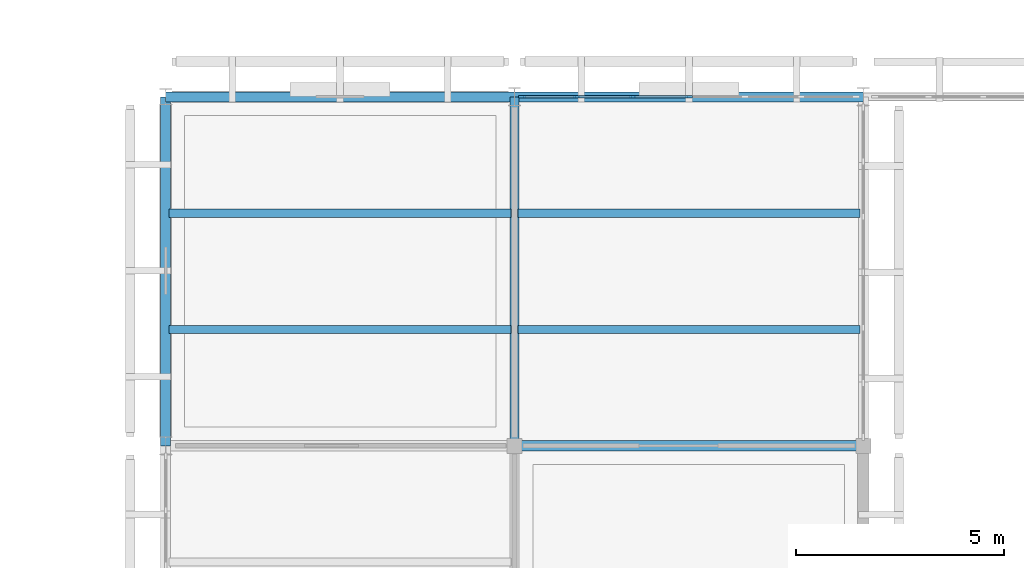
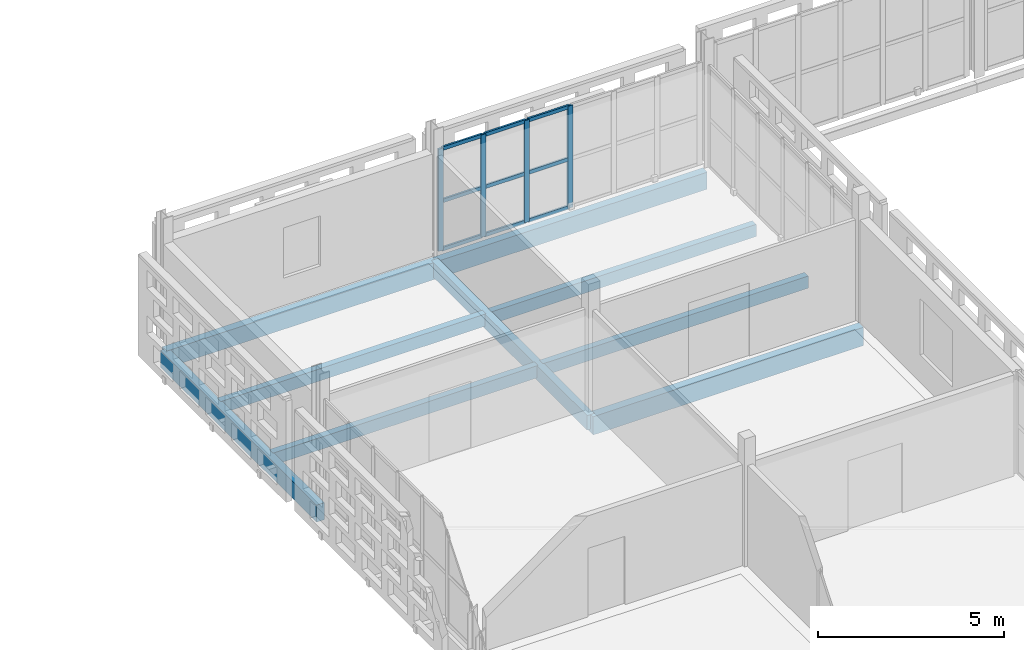
# One storey, part 51 of 140: 13 members, 9 beams, 1 element without a shape of its own.
"""IFC4 building model written with IfcOpenShell, lengths in metres."""

from ifc_helpers import new_model, si_unit, direction, frame, origin, origin_2d, place, context, subcontext, project, spatial, rectangle, extrude, material, layer, layer_set, material_profile, profile_set, type_object, element, aggregate, save


model = new_model("IFC4")

# Units and contexts
model_context = context("Model", 3, precision=1e-05, world=origin(), true_north=direction((0.0, 1.0)))
body_context = subcontext(model_context, "Body", "Model", "MODEL_VIEW")
ifc_project = project(units=[si_unit("LENGTHUNIT", "METRE"), si_unit("AREAUNIT", "SQUARE_METRE"), si_unit("VOLUMEUNIT", "CUBIC_METRE"), si_unit("PLANEANGLEUNIT", "RADIAN"), si_unit("MASSUNIT", "GRAM", prefix="KILO")], contexts=[model_context])

# Site, building, storey
site_placement = place(None, origin())
site = spatial("IfcSite", under=ifc_project, at=site_placement, CompositionType="ELEMENT")
building_placement = place(site_placement, origin())
building = spatial("IfcBuilding", under=site, at=building_placement, Name="Varnapada Polytechnic", CompositionType="ELEMENT")
storey_placement = place(building_placement, frame((0.0, 0.0, 13.800048828125)))
storey = spatial("IfcBuildingStorey", under=building, at=storey_placement, Name="L03", CompositionType="ELEMENT", Elevation=13.800048828125)

# Beams
ifc_material_1 = material(Name="Glulam GL32h", Category="wood")
ifc_material_profile_1 = material_profile(ifc_material_1, rectangle(XDim=0.199951171875, YDim=0.39990234375, at=origin_2d()), Name="GL 200x400")
ifc_profile_set_1 = profile_set([ifc_material_profile_1], Name="Glulam GL32h")
beam_type_1 = type_object("IfcBeamType", Name="Library/laboratory glulam floor joist GJ-01 (GL 200x400)", PredefinedType="JOIST", material=ifc_profile_set_1)
for number, where, z_axis, x_axis, name in (
    (1, (50.47998046875, 120.39990234375, -0.43994140625), (1.0, 0.0, 0.0), (0.0, 1.0, 0.0), "L03 floor joist 7/15.1"),
    (2, (50.47998046875, 123.199951171875, -0.43994140625), (1.0, 0.0, 0.0), (0.0, 1.0, 0.0), "L03 floor joist 7/15.2"),
):
    element("IfcBeam", number, at=place(storey_placement, frame(where, z_axis=z_axis, x_axis=x_axis)), inside=storey, type_object=beam_type_1, Name=name, PredefinedType="JOIST", context=body_context, shape_type="SweptSolid", body=[
        extrude(rectangle(XDim=0.199951171875, YDim=0.39990234375, at=origin_2d()), origin(), (0.0, 0.0, 1.0), 8.239990234375),
    ])
for number, where, z_axis, x_axis, name in (
    (3, (58.8798828125, 120.39990234375, -0.43994140625), (1.0, 0.0, 0.0), (0.0, 1.0, 0.0), "L03 floor joist 8/15.1"),
    (4, (58.8798828125, 123.199951171875, -0.43994140625), (1.0, 0.0, 0.0), (0.0, 1.0, 0.0), "L03 floor joist 8/15.2"),
):
    element("IfcBeam", number, at=place(storey_placement, frame(where, z_axis=z_axis, x_axis=x_axis)), inside=storey, type_object=beam_type_1, Name=name, PredefinedType="JOIST", context=body_context, shape_type="SweptSolid", body=[
        extrude(rectangle(XDim=0.199951171875, YDim=0.39990234375, at=origin_2d()), origin(), (0.0, 0.0, 1.0), 8.240234375),
    ])

# Curtain wall, members
ifc_material_2 = material(Name="Double low-E laminated glass", Category="glass")
ifc_layer = layer(ifc_material_2, 0.159912109375)
ifc_layer_set = layer_set([ifc_layer], Name="Double low-E laminated glass")
curtain_wall_type = type_object("IfcCurtainWallType", Name="Curtain Wall CW-02", PredefinedType="NOTDEFINED", material=ifc_layer_set)
curtain_wall_placement = place(storey_placement, origin())
curtain_wall = element("IfcCurtainWall", 5, at=curtain_wall_placement, inside=storey, type_object=curtain_wall_type, Name="L03 unitised curtain wall CW-02 (232)", PredefinedType="NOTDEFINED")
ifc_material_3 = material(Name="Anodised aluminium", Category="aluminium")
ifc_material_profile_2 = material_profile(ifc_material_3, rectangle(XDim=0.06005859375, YDim=0.159912109375, at=origin_2d()), Name="ALU M60x160")
ifc_profile_set_2 = profile_set([ifc_material_profile_2], Name="Anodised aluminium")
member_type_1 = type_object("IfcMemberType", Name="Mullion M-01", PredefinedType="MULLION", material=ifc_profile_set_2)
member_1_placement = place(storey_placement, frame((58.97998046875, 126.0, 0.0), z_axis=(0.0, 0.0, 1.0), x_axis=(0.0, 1.0, 0.0)))
member_1 = element("IfcMember", 6, at=member_1_placement, type_object=member_type_1, Name="CW-02 mullion 1", PredefinedType="MULLION", context=body_context, shape_type="SweptSolid", body=[
    extrude(rectangle(XDim=0.06005859375, YDim=0.159912109375, at=origin_2d()), origin(), (0.0, 0.0, 1.0), 3.35986328125),
])
member_2_placement = place(storey_placement, frame((60.300048828125, 126.0, 0.0), z_axis=(0.0, 0.0, 1.0), x_axis=(0.0, 1.0, 0.0)))
member_2 = element("IfcMember", 7, at=member_2_placement, type_object=member_type_1, Name="CW-02 mullion 2", PredefinedType="MULLION", context=body_context, shape_type="SweptSolid", body=[
    extrude(rectangle(XDim=0.06005859375, YDim=0.159912109375, at=origin_2d()), origin(), (0.0, 0.0, 1.0), 3.35986328125),
])
member_3_placement = place(storey_placement, frame((61.64990234375, 126.0, 0.0), z_axis=(0.0, 0.0, 1.0), x_axis=(0.0, 1.0, 0.0)))
member_3 = element("IfcMember", 8, at=member_3_placement, type_object=member_type_1, Name="CW-02 mullion 3", PredefinedType="MULLION", context=body_context, shape_type="SweptSolid", body=[
    extrude(rectangle(XDim=0.06005859375, YDim=0.159912109375, at=origin_2d()), origin(), (0.0, 0.0, 1.0), 3.35986328125),
])
member_4_placement = place(storey_placement, frame((63.0, 126.0, 0.0), z_axis=(0.0, 0.0, 1.0), x_axis=(0.0, 1.0, 0.0)))
member_4 = element("IfcMember", 9, at=member_4_placement, type_object=member_type_1, Name="CW-02 mullion 4", PredefinedType="MULLION", context=body_context, shape_type="SweptSolid", body=[
    extrude(rectangle(XDim=0.06005859375, YDim=0.159912109375, at=origin_2d()), origin(), (0.0, 0.0, 1.0), 3.35986328125),
])

# Beams
ifc_material_profile_3 = material_profile(ifc_material_1, rectangle(XDim=0.239990234375, YDim=0.56005859375, at=origin_2d()), Name="GL 240x560")
ifc_profile_set_3 = profile_set([ifc_material_profile_3], Name="Glulam GL32h")
beam_type_2 = type_object("IfcBeamType", Name="Perimeter glulam spandrel beam SP-02 (GL 240x560)", PredefinedType="SPANDREL", material=ifc_profile_set_3)
beam_1_placement = place(storey_placement, frame((50.39990234375, 126.0, -0.52001953125), z_axis=(1.0, 0.0, 0.0), x_axis=(0.0, 1.0, 0.0)))
element("IfcBeam", 10, at=beam_1_placement, inside=storey, type_object=beam_type_2, Name="L03 beam X 7-8 at Y16", PredefinedType="SPANDREL", context=body_context, shape_type="SweptSolid", body=[
    extrude(rectangle(XDim=0.239990234375, YDim=0.56005859375, at=origin_2d()), origin(), (0.0, 0.0, 1.0), 8.400146484375),
])
for number, where, z_axis, x_axis, name in (
    (11, (58.800048828125, 126.0, -0.52001953125), (1.0, 0.0, 0.0), (0.0, 1.0, 0.0), "L03 beam X 8-9 at Y16"),
    (12, (50.39990234375, 117.60009765625, -0.52001953125), (0.0, 1.0, 0.0), (-1.0, 0.0, 0.0), "L03 beam Y 15-16 at X7"),
):
    element("IfcBeam", number, at=place(storey_placement, frame(where, z_axis=z_axis, x_axis=x_axis)), inside=storey, type_object=beam_type_2, Name=name, PredefinedType="SPANDREL", context=body_context, shape_type="SweptSolid", body=[
        extrude(rectangle(XDim=0.239990234375, YDim=0.56005859375, at=origin_2d()), origin(), (0.0, 0.0, 1.0), 8.39990234375),
    ])
ifc_material_profile_4 = material_profile(ifc_material_1, rectangle(XDim=0.260009765625, YDim=0.60009765625, at=origin_2d()), Name="GL 260x600")
ifc_profile_set_4 = profile_set([ifc_material_profile_4], Name="Glulam GL32h")
beam_type_3 = type_object("IfcBeamType", Name="Seminar wing glulam girder GG-05 (GL 260x600)", PredefinedType="BEAM", material=ifc_profile_set_4)
beam_2_placement = place(storey_placement, frame((58.800048828125, 117.60009765625, -0.5400390625), z_axis=(1.0, 0.0, 0.0), x_axis=(0.0, 1.0, 0.0)))
element("IfcBeam", 13, at=beam_2_placement, inside=storey, type_object=beam_type_3, Name="L03 beam X 8-9 at Y15", PredefinedType="BEAM", context=body_context, shape_type="SweptSolid", body=[
    extrude(rectangle(XDim=0.260009765625, YDim=0.60009765625, at=origin_2d()), origin(), (0.0, 0.0, 1.0), 8.39990234375),
])

# Member
ifc_material_profile_5 = material_profile(ifc_material_3, rectangle(XDim=0.06005859375, YDim=0.1201171875, at=origin_2d()), Name="ALU T60x120")
ifc_profile_set_5 = profile_set([ifc_material_profile_5], Name="Anodised aluminium")
member_type_2 = type_object("IfcMemberType", Name="Transom T-01", PredefinedType="USERDEFINED", material=ifc_profile_set_5)
member_5_placement = place(storey_placement, frame((59.010009765625, 126.0, 0.030029296875), z_axis=(1.0, 0.0, 0.0), x_axis=(0.0, 1.0, 0.0)))
member_5 = element("IfcMember", 14, at=member_5_placement, type_object=member_type_2, Name="CW-02 transom 1.1", ObjectType="TRANSOM", PredefinedType="USERDEFINED", context=body_context, shape_type="SweptSolid", body=[
    extrude(rectangle(XDim=0.06005859375, YDim=0.1201171875, at=origin_2d()), origin(), (0.0, 0.0, 1.0), 1.260009765625),
])

member_6_placement = place(storey_placement, frame((59.010009765625, 126.0, 1.61279296875), z_axis=(1.0, 0.0, 0.0), x_axis=(0.0, 1.0, 0.0)))
member_6 = element("IfcMember", 15, at=member_6_placement, type_object=member_type_2, Name="CW-02 transom 1.2", ObjectType="TRANSOM", PredefinedType="USERDEFINED", context=body_context, shape_type="SweptSolid", body=[
    extrude(rectangle(XDim=0.06005859375, YDim=0.1201171875, at=origin_2d()), origin(), (0.0, 0.0, 1.0), 1.260009765625),
])

member_7_placement = place(storey_placement, frame((59.010009765625, 126.0, 3.329833984375), z_axis=(1.0, 0.0, 0.0), x_axis=(0.0, 1.0, 0.0)))
member_7 = element("IfcMember", 16, at=member_7_placement, type_object=member_type_2, Name="CW-02 transom 1.3", ObjectType="TRANSOM", PredefinedType="USERDEFINED", context=body_context, shape_type="SweptSolid", body=[
    extrude(rectangle(XDim=0.06005859375, YDim=0.1201171875, at=origin_2d()), origin(), (0.0, 0.0, 1.0), 1.260009765625),
])

member_8_placement = place(storey_placement, frame((60.330078125, 126.0, 0.030029296875), z_axis=(1.0, 0.0, 0.0), x_axis=(0.0, 1.0, 0.0)))
member_8 = element("IfcMember", 17, at=member_8_placement, type_object=member_type_2, Name="CW-02 transom 2.1", ObjectType="TRANSOM", PredefinedType="USERDEFINED", context=body_context, shape_type="SweptSolid", body=[
    extrude(rectangle(XDim=0.06005859375, YDim=0.1201171875, at=origin_2d()), origin(), (0.0, 0.0, 1.0), 1.2900390625),
])

member_9_placement = place(storey_placement, frame((60.330078125, 126.0, 1.61279296875), z_axis=(1.0, 0.0, 0.0), x_axis=(0.0, 1.0, 0.0)))
member_9 = element("IfcMember", 18, at=member_9_placement, type_object=member_type_2, Name="CW-02 transom 2.2", ObjectType="TRANSOM", PredefinedType="USERDEFINED", context=body_context, shape_type="SweptSolid", body=[
    extrude(rectangle(XDim=0.06005859375, YDim=0.1201171875, at=origin_2d()), origin(), (0.0, 0.0, 1.0), 1.2900390625),
])

member_10_placement = place(storey_placement, frame((60.330078125, 126.0, 3.329833984375), z_axis=(1.0, 0.0, 0.0), x_axis=(0.0, 1.0, 0.0)))
member_10 = element("IfcMember", 19, at=member_10_placement, type_object=member_type_2, Name="CW-02 transom 2.3", ObjectType="TRANSOM", PredefinedType="USERDEFINED", context=body_context, shape_type="SweptSolid", body=[
    extrude(rectangle(XDim=0.06005859375, YDim=0.1201171875, at=origin_2d()), origin(), (0.0, 0.0, 1.0), 1.2900390625),
])

member_11_placement = place(storey_placement, frame((61.679931640625, 126.0, 0.030029296875), z_axis=(1.0, 0.0, 0.0), x_axis=(0.0, 1.0, 0.0)))
member_11 = element("IfcMember", 20, at=member_11_placement, type_object=member_type_2, Name="CW-02 transom 3.1", ObjectType="TRANSOM", PredefinedType="USERDEFINED", context=body_context, shape_type="SweptSolid", body=[
    extrude(rectangle(XDim=0.06005859375, YDim=0.1201171875, at=origin_2d()), origin(), (0.0, 0.0, 1.0), 1.2900390625),
])

member_12_placement = place(storey_placement, frame((61.679931640625, 126.0, 1.61279296875), z_axis=(1.0, 0.0, 0.0), x_axis=(0.0, 1.0, 0.0)))
member_12 = element("IfcMember", 21, at=member_12_placement, type_object=member_type_2, Name="CW-02 transom 3.2", ObjectType="TRANSOM", PredefinedType="USERDEFINED", context=body_context, shape_type="SweptSolid", body=[
    extrude(rectangle(XDim=0.06005859375, YDim=0.1201171875, at=origin_2d()), origin(), (0.0, 0.0, 1.0), 1.2900390625),
])

member_13_placement = place(storey_placement, frame((61.679931640625, 126.0, 3.329833984375), z_axis=(1.0, 0.0, 0.0), x_axis=(0.0, 1.0, 0.0)))
member_13 = element("IfcMember", 22, at=member_13_placement, type_object=member_type_2, Name="CW-02 transom 3.3", ObjectType="TRANSOM", PredefinedType="USERDEFINED", context=body_context, shape_type="SweptSolid", body=[
    extrude(rectangle(XDim=0.06005859375, YDim=0.1201171875, at=origin_2d()), origin(), (0.0, 0.0, 1.0), 1.2900390625),
])

aggregate(curtain_wall, [member_1, member_2, member_3, member_4, member_5, member_6, member_7, member_8, member_9, member_10, member_11, member_12, member_13])

# Beam
ifc_material_profile_6 = material_profile(ifc_material_1, rectangle(XDim=0.219970703125, YDim=0.47998046875, at=origin_2d()), Name="GL 220x480")
ifc_profile_set_6 = profile_set([ifc_material_profile_6], Name="Glulam GL32h")
beam_type_4 = type_object("IfcBeamType", Name="Upper floor glulam tie beam GB-11 (GL 220x480)", PredefinedType="BEAM", material=ifc_profile_set_6)
beam_3_placement = place(storey_placement, frame((58.800048828125, 117.60009765625, -0.47998046875), z_axis=(0.0, 1.0, 0.0), x_axis=(-1.0, 0.0, 0.0)))
element("IfcBeam", 23, at=beam_3_placement, inside=storey, type_object=beam_type_4, Name="L03 beam Y 15-16 at X8", PredefinedType="BEAM", context=body_context, shape_type="SweptSolid", body=[
    extrude(rectangle(XDim=0.219970703125, YDim=0.47998046875, at=origin_2d()), origin(), (0.0, 0.0, 1.0), 8.39990234375),
])

save(model, "model.ifc")
